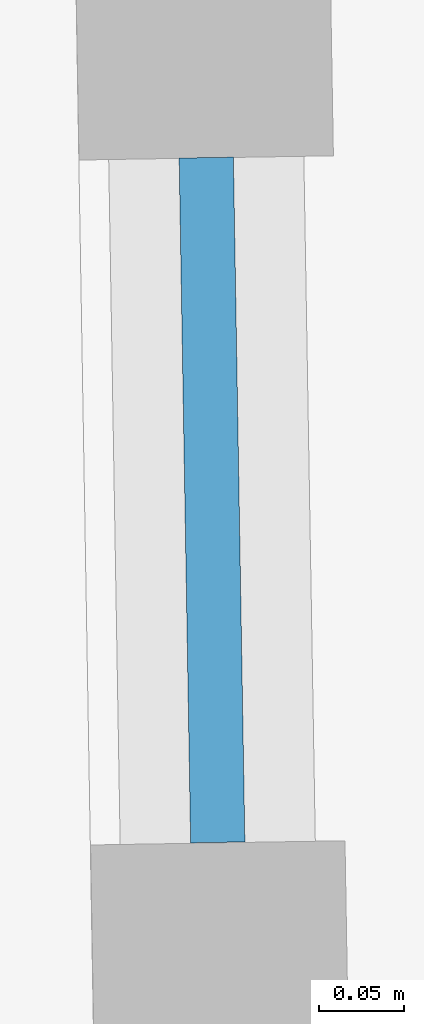
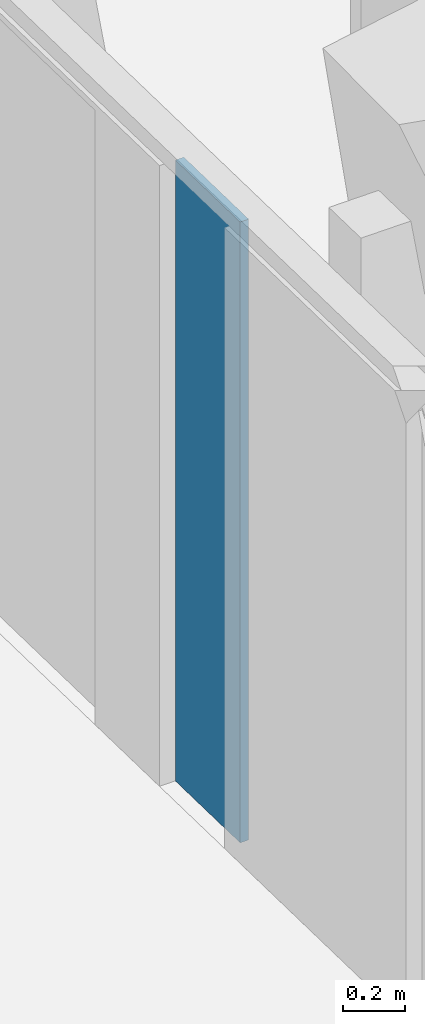
# One storey, part 15 of 25: 1 plate, 1 element without a shape of its own.
"""IFC4 building model written with IfcOpenShell, lengths in metres."""

from ifc_helpers import new_model, si_unit, direction, frame, origin, origin_2d, place, context, subcontext, project, spatial, rectangle, extrude, material, layer, layer_set, type_object, element, aggregate, save


model = new_model("IFC4")

# Units and contexts
model_context = context("Model", 3, precision=1e-05, world=origin(), true_north=direction((0.0, 1.0)))
body_context = subcontext(model_context, "Body", "Model", "MODEL_VIEW")
ifc_project = project(units=[si_unit("LENGTHUNIT", "METRE"), si_unit("AREAUNIT", "SQUARE_METRE"), si_unit("VOLUMEUNIT", "CUBIC_METRE"), si_unit("PLANEANGLEUNIT", "RADIAN"), si_unit("MASSUNIT", "GRAM", prefix="KILO")], contexts=[model_context])

# Site, building, storey
site_placement = place(None, origin())
site = spatial("IfcSite", under=ifc_project, at=site_placement, CompositionType="ELEMENT")
building_placement = place(site_placement, origin())
building = spatial("IfcBuilding", under=site, at=building_placement, Name="Verdalira Terraces Hotel", CompositionType="ELEMENT")
storey_placement = place(building_placement, frame((0.0, 0.0, 39.0)))
storey = spatial("IfcBuildingStorey", under=building, at=storey_placement, Name="L07", CompositionType="ELEMENT", Elevation=39.0)

# Curtain wall, plate
ifc_material_1 = material(Name="Clear glass", Category="glass")
ifc_layer_1 = layer(ifc_material_1, 0.14990234375)
ifc_layer_set_1 = layer_set([ifc_layer_1], Name="CW2 curtain wall")
curtain_wall_type = type_object("IfcCurtainWallType", Name="CW2 curtain wall", PredefinedType="NOTDEFINED", material=ifc_layer_set_1)
curtain_wall_placement = place(storey_placement, origin())
curtain_wall = element("IfcCurtainWall", 1, at=curtain_wall_placement, inside=storey, type_object=curtain_wall_type, Name="CW2 curtain wall L07 edge 10", PredefinedType="NOTDEFINED")
ifc_material_2 = material(Name="Clear glass", Category="glass")
ifc_layer_2 = layer(ifc_material_2, 0.031982421875)
ifc_layer_set_2 = layer_set([ifc_layer_2], Name="CW2 glass unit 32")
plate_type = type_object("IfcPlateType", Name="CW2 glass unit 32", PredefinedType="CURTAIN_PANEL", material=ifc_layer_set_2)
plate_placement = place(storey_placement, frame((-7.033447, 36.258789, 0.0), z_axis=(0.0, 0.0, 1.0), x_axis=(0.016754377, -0.999859636, 0.0)))
plate = element("IfcPlate", 2, at=plate_placement, type_object=plate_type, Name="CW2 glass unit", PredefinedType="CURTAIN_PANEL", context=body_context, shape_type="SweptSolid", body=[
    extrude(rectangle(XDim=0.403564, YDim=0.031982, at=origin_2d()), origin(), (0.0, 0.0, 1.0), 2.425049),
])
aggregate(curtain_wall, [plate])

save(model, "model.ifc")
